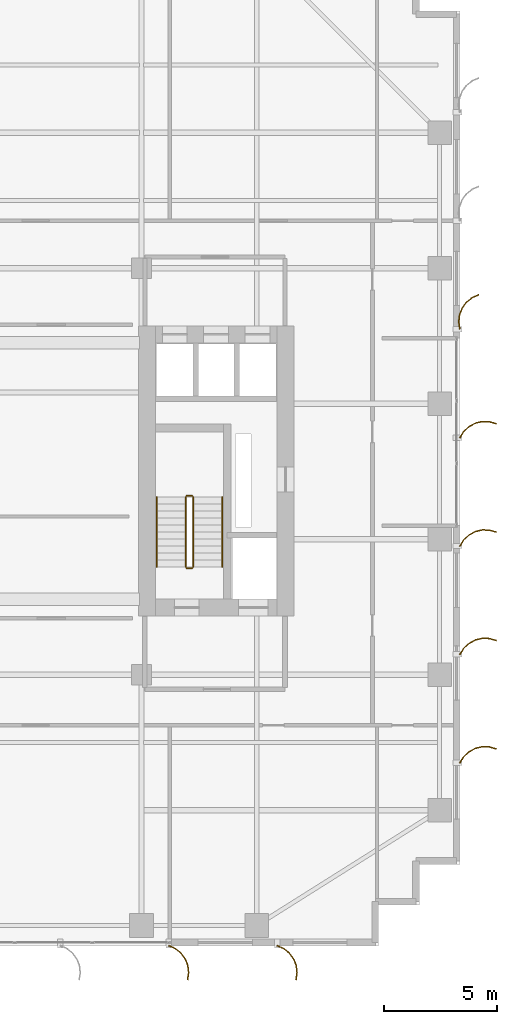
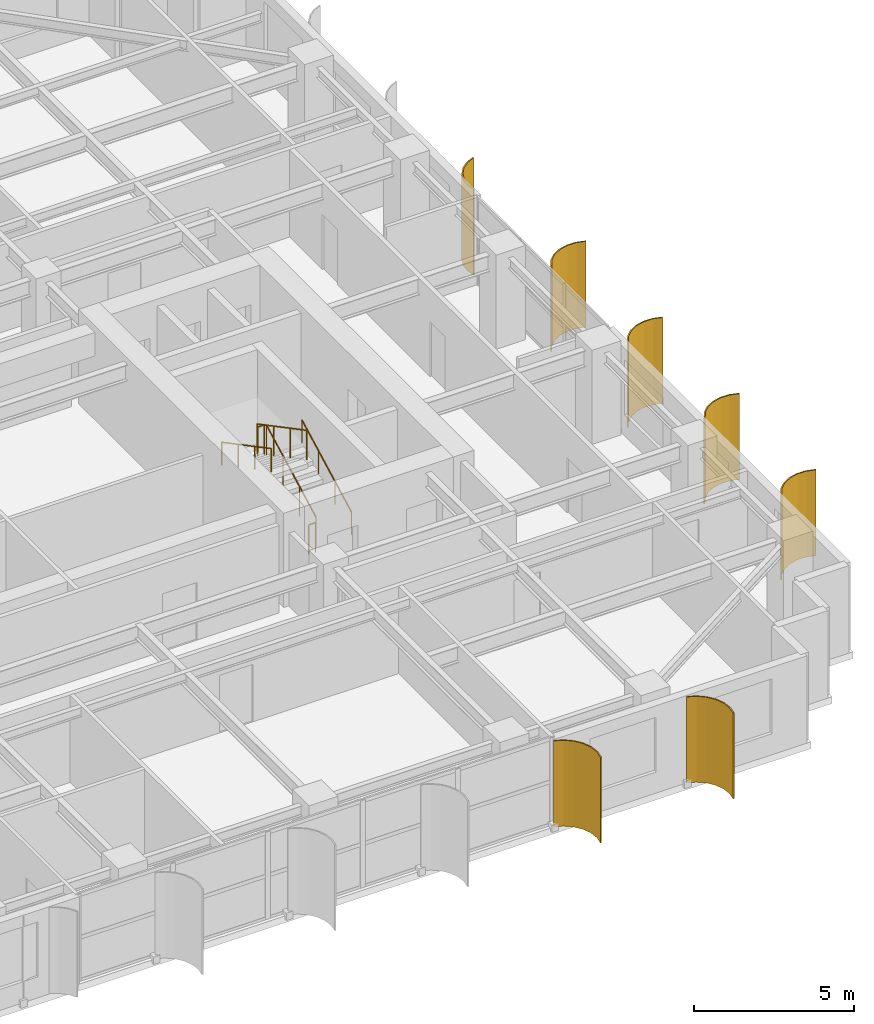
# One storey, part 25 of 26: 7 shading devices, 6 railings.
"""IFC4 building model written with IfcOpenShell, lengths in metres."""

from ifc_helpers import new_model, si_unit, direction, frame, origin, origin_2d, place, context, subcontext, project, spatial, polyline, circle, outline, extrude, source, transform, mapped, material, layer, layer_set, type_object, element, save


model = new_model("IFC4")

# Units and contexts
model_context = context("Model", 3, precision=1e-05, world=origin(), true_north=direction((0.0, 1.0)))
body_context = subcontext(model_context, "Body", "Model", "MODEL_VIEW")
ifc_project = project(units=[si_unit("LENGTHUNIT", "METRE"), si_unit("AREAUNIT", "SQUARE_METRE"), si_unit("VOLUMEUNIT", "CUBIC_METRE"), si_unit("PLANEANGLEUNIT", "RADIAN"), si_unit("MASSUNIT", "GRAM", prefix="KILO")], contexts=[model_context])

# Site, building, storey
site_placement = place(None, origin())
site = spatial("IfcSite", under=ifc_project, at=site_placement, CompositionType="ELEMENT")
building_placement = place(site_placement, origin())
building = spatial("IfcBuilding", under=site, at=building_placement, Name="Khoralis Quay Care Tower", CompositionType="ELEMENT")
storey_placement = place(building_placement, frame((0.0, 0.0, 126.89990234375)))
storey = spatial("IfcBuildingStorey", under=building, at=storey_placement, Name="L33", CompositionType="ELEMENT", Elevation=126.89990234375)

# Railings
ifc_material_1 = material(Name="Brushed stainless steel", Category="steel")
railing_type_1 = type_object("IfcRailingType", Name="RL-GUARD-1150", PredefinedType="GUARDRAIL", material=ifc_material_1)
railing_1_placement = place(storey_placement, frame((33.18994140625, 16.77001953125, 0.163818359375)))
element("IfcRailing", 1, at=railing_1_placement, inside=storey, type_object=railing_type_1, Name="L33 ST-T2 stair guard 1", PredefinedType="GUARDRAIL", context=body_context, shape_type="SweptSolid", body=[
    extrude(circle(Radius=0.02392578125, at=origin_2d()), frame((0.0, 0.0, 1.1259765625), z_axis=(0.0, 0.884376766648, 0.46677375099), x_axis=(-1.0, 0.0, 0.0)), (0.0, 0.0, 1.0), 3.50537109375),
    extrude(circle(Radius=0.02099609375, at=origin_2d()), origin(), (0.0, 0.0, 1.0), 1.101806640625),
    extrude(circle(Radius=0.02099609375, at=origin_2d()), frame((0.0, 1.033447265625, 0.54541015625)), (0.0, 0.0, 1.0), 1.101806640625),
    extrude(circle(Radius=0.02099609375, at=origin_2d()), frame((0.0, 2.066650390625, 1.0908203125)), (0.0, 0.0, 1.0), 1.101806640625),
    extrude(circle(Radius=0.02099609375, at=origin_2d()), frame((0.0, 3.10009765625, 1.63623046875)), (0.0, 0.0, 1.0), 1.101806640625),
])
railing_2_placement = place(storey_placement, frame((33.139892578125, 19.919921875, 1.800048828125)))
element("IfcRailing", 2, at=railing_2_placement, inside=storey, type_object=railing_type_1, Name="L33 ST-T2 stair guard 2", PredefinedType="GUARDRAIL", context=body_context, shape_type="SweptSolid", body=[
    extrude(circle(Radius=0.02392578125, at=origin_2d()), frame((0.0, 0.0, 1.1259765625), z_axis=(-1.0, 0.0, 0.0), x_axis=(0.0, -1.0, 0.0)), (0.0, 0.0, 1.0), 0.239990234375),
    extrude(circle(Radius=0.02099609375, at=origin_2d()), origin(), (0.0, 0.0, 1.0), 1.101806640625),
    extrude(circle(Radius=0.02099609375, at=origin_2d()), frame((-0.239990234375, 0.0, 0.0)), (0.0, 0.0, 1.0), 1.101806640625),
])
railing_3_placement = place(storey_placement, frame((32.85009765625, 19.8701171875, 1.963623046875)))
element("IfcRailing", 3, at=railing_3_placement, inside=storey, type_object=railing_type_1, Name="L33 ST-T2 stair guard 3", PredefinedType="GUARDRAIL", context=body_context, shape_type="SweptSolid", body=[
    extrude(circle(Radius=0.02392578125, at=origin_2d()), frame((0.0, 0.0, 1.1259765625), z_axis=(0.0, -0.884348015382, 0.466828220752), x_axis=(1.0, 0.0, 0.0)), (0.0, 0.0, 1.0), 3.505615234375),
    extrude(circle(Radius=0.02099609375, at=origin_2d()), origin(), (0.0, 0.0, 1.0), 1.101806640625),
    extrude(circle(Radius=0.02099609375, at=origin_2d()), frame((0.0, -1.033447265625, 0.54541015625)), (0.0, 0.0, 1.0), 1.101806640625),
    extrude(circle(Radius=0.02099609375, at=origin_2d()), frame((0.0, -2.066650390625, 1.091064453125)), (0.0, 0.0, 1.0), 1.101806640625),
    extrude(circle(Radius=0.02099609375, at=origin_2d()), frame((0.0, -3.10009765625, 1.636474609375)), (0.0, 0.0, 1.0), 1.101806640625),
])
railing_4_placement = place(storey_placement, frame((33.139892578125, 16.719970703125, 0.0)))
element("IfcRailing", 4, at=railing_4_placement, inside=storey, type_object=railing_type_1, Name="L33 ST-T2 stair guard 4", PredefinedType="GUARDRAIL", context=body_context, shape_type="SweptSolid", body=[
    extrude(circle(Radius=0.02392578125, at=origin_2d()), frame((0.0, 0.0, 1.1259765625), z_axis=(-1.0, 0.0, 0.0), x_axis=(0.0, -1.0, 0.0)), (0.0, 0.0, 1.0), 0.239990234375),
    extrude(circle(Radius=0.02099609375, at=origin_2d()), origin(), (0.0, 0.0, 1.0), 1.101806640625),
    extrude(circle(Radius=0.02099609375, at=origin_2d()), frame((-0.239990234375, 0.0, 0.0)), (0.0, 0.0, 1.0), 1.101806640625),
])
railing_type_2 = type_object("IfcRailingType", Name="RL-HAND-900", PredefinedType="HANDRAIL", material=ifc_material_1)
railing_5_placement = place(storey_placement, frame((34.469970703125, 16.77001953125, 0.163818359375)))
element("IfcRailing", 5, at=railing_5_placement, inside=storey, type_object=railing_type_2, Name="L33 ST-T2 stair handrail 1", PredefinedType="HANDRAIL", context=body_context, shape_type="SweptSolid", body=[
    extrude(circle(Radius=0.02392578125, at=origin_2d()), frame((0.0, 0.0, 0.8759765625), z_axis=(0.0, 0.884376766648, 0.46677375099), x_axis=(-1.0, 0.0, 0.0)), (0.0, 0.0, 1.0), 3.50537109375),
    extrude(circle(Radius=0.02099609375, at=origin_2d()), origin(), (0.0, 0.0, 1.0), 0.851806640625),
    extrude(circle(Radius=0.02099609375, at=origin_2d()), frame((0.0, 1.033447265625, 0.54541015625)), (0.0, 0.0, 1.0), 0.851806640625),
    extrude(circle(Radius=0.02099609375, at=origin_2d()), frame((0.0, 2.066650390625, 1.0908203125)), (0.0, 0.0, 1.0), 0.851806640625),
    extrude(circle(Radius=0.02099609375, at=origin_2d()), frame((0.0, 3.10009765625, 1.63623046875)), (0.0, 0.0, 1.0), 0.851806640625),
])
railing_6_placement = place(storey_placement, frame((31.570068359375, 19.8701171875, 1.963623046875)))
element("IfcRailing", 6, at=railing_6_placement, inside=storey, type_object=railing_type_2, Name="L33 ST-T2 stair handrail 2", PredefinedType="HANDRAIL", context=body_context, shape_type="SweptSolid", body=[
    extrude(circle(Radius=0.02392578125, at=origin_2d()), frame((0.0, 0.0, 0.8759765625), z_axis=(0.0, -0.884348015382, 0.466828220752), x_axis=(1.0, 0.0, 0.0)), (0.0, 0.0, 1.0), 3.505615234375),
    extrude(circle(Radius=0.02099609375, at=origin_2d()), origin(), (0.0, 0.0, 1.0), 0.851806640625),
    extrude(circle(Radius=0.02099609375, at=origin_2d()), frame((0.0, -1.033447265625, 0.54541015625)), (0.0, 0.0, 1.0), 0.851806640625),
    extrude(circle(Radius=0.02099609375, at=origin_2d()), frame((0.0, -2.066650390625, 1.091064453125)), (0.0, 0.0, 1.0), 0.851806640625),
    extrude(circle(Radius=0.02099609375, at=origin_2d()), frame((0.0, -3.10009765625, 1.636474609375)), (0.0, 0.0, 1.0), 0.851806640625),
])

# Shading devices
ifc_material_2 = material(Name="Brushed pale anodised aluminium", Category="aluminium")
ifc_layer = layer(ifc_material_2, 0.044921875)
ifc_layer_set = layer_set([ifc_layer], Name="Brushed pale anodised aluminium")
shading_device_type = type_object("IfcShadingDeviceType", Name="SHD-FIN-1250", PredefinedType="USERDEFINED", material=ifc_layer_set)
shared_shape_1 = source(origin(), body_context, "Body", "SweptSolid", [
    extrude(outline(polyline([(0.0, 0.0), (0.17041015625, 0.2783203125), (0.4072265625, 0.5029296875), (0.694091796875, 0.658447265625), (1.01123046875, 0.734619140625), (1.33740234375, 0.72607421875), (1.650390625, 0.633544921875), (1.632080078125, 0.59228515625), (1.330322265625, 0.681640625), (1.015869140625, 0.68994140625), (0.710205078125, 0.616455078125), (0.43359375, 0.466552734375), (0.20556640625, 0.25), (0.041015625, -0.018310546875), (0.0, 0.0)])), origin(), (0.0, 0.0, 1.0), 3.280029296875),
])
for number, where, z_axis, x_axis, name in (
    (7, (44.969970703125, 8.10009765625, 0.02001953125), (0.0, 0.0, 1.0), (1.0, 0.0, 0.0), "L33 Curved Solar Fin P1E5-01"),
    (8, (44.969970703125, 12.89990234375, 0.02001953125), (0.0, 0.0, 1.0), (1.0, 0.0, 0.0), "L33 Curved Solar Fin P1E5-02"),
    (9, (44.969970703125, 17.699951171875, 0.02001953125), (0.0, 0.0, 1.0), (1.0, 0.0, 0.0), "L33 Curved Solar Fin P1E5-03"),
    (10, (44.969970703125, 22.5, 0.02001953125), (0.0, 0.0, 1.0), (1.0, 0.0, 0.0), "L33 Curved Solar Fin P1E5-04"),
):
    element("IfcShadingDevice", number, at=place(storey_placement, frame(where, z_axis=z_axis, x_axis=x_axis)), inside=storey, type_object=shading_device_type, Name=name, ObjectType="FIN", PredefinedType="USERDEFINED", context=body_context, shape_type="MappedRepresentation", body=[
        mapped(shared_shape_1, transform((0.0, 0.0, 0.0), scale=1.0)),
    ])
shared_shape_2 = source(origin(), body_context, "Body", "SweptSolid", [
    extrude(outline(polyline([(0.0, 0.0), (-0.04833984375, 0.32275390625), (-0.01123046875, 0.64697265625), (0.1083984375, 0.950439453125), (0.302490234375, 1.212890625), (0.557861328125, 1.416015625), (0.85693359375, 1.546142578125), (0.869384765625, 1.5029296875), (0.5810546875, 1.37744140625), (0.334716796875, 1.181640625), (0.147705078125, 0.9287109375), (0.032470703125, 0.635986328125), (-0.003173828125, 0.323486328125), (0.043212890625, 0.012451171875), (0.0, 0.0)])), origin(), (0.0, 0.0, 1.0), 3.280029296875),
])
shading_device_placement = place(storey_placement, frame((44.969970703125, 27.300048828125, 0.02001953125), z_axis=(0.0, 0.0, 1.0), x_axis=(1.0, 0.0, 0.0)))
element("IfcShadingDevice", 11, at=shading_device_placement, inside=storey, type_object=shading_device_type, Name="L33 Curved Solar Fin P1E5-05", ObjectType="FIN", PredefinedType="USERDEFINED", context=body_context, shape_type="MappedRepresentation", body=[
    mapped(shared_shape_2, transform((0.0, 0.0, 0.0), scale=1.0)),
])
shared_shape_3 = source(origin(), body_context, "Body", "SweptSolid", [
    extrude(outline(polyline([(0.0, 0.0), (0.130126953125, 0.29931640625), (0.333251953125, 0.5546875), (0.595458984375, 0.748779296875), (0.899169921875, 0.868408203125), (1.223388671875, 0.9052734375), (1.546142578125, 0.85693359375), (1.53369140625, 0.813720703125), (1.22265625, 0.8603515625), (0.91015625, 0.82470703125), (0.617431640625, 0.70947265625), (0.364501953125, 0.522216796875), (0.168701171875, 0.276123046875), (0.043212890625, -0.012451171875), (0.0, 0.0)])), origin(), (0.0, 0.0, 1.0), 3.280029296875),
])
for number, where, z_axis, x_axis, name in (
    (12, (32.10009765625, 0.030029296875, 0.02001953125), (0.0, 0.0, 1.0), (0.0, -1.0, 0.0), "L33 Curved Solar Fin P1E0-06"),
    (13, (36.89990234375, 0.030029296875, 0.02001953125), (0.0, 0.0, 1.0), (0.0, -1.0, 0.0), "L33 Curved Solar Fin P1E0-07"),
):
    element("IfcShadingDevice", number, at=place(storey_placement, frame(where, z_axis=z_axis, x_axis=x_axis)), inside=storey, type_object=shading_device_type, Name=name, ObjectType="FIN", PredefinedType="USERDEFINED", context=body_context, shape_type="MappedRepresentation", body=[
        mapped(shared_shape_3, transform((0.0, 0.0, 0.0), scale=1.0)),
    ])

save(model, "model.ifc")
